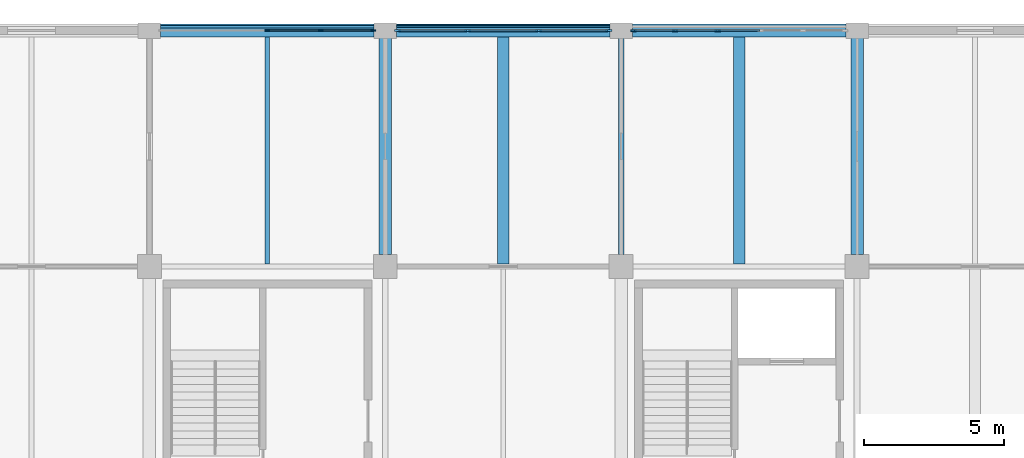
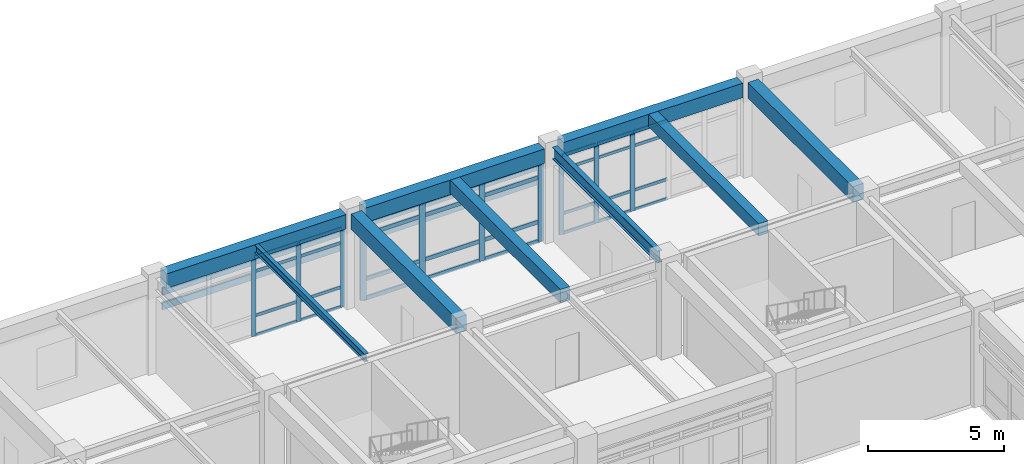
# One storey, part 29 of 78: 46 members, 9 beams, 3 elements without a shape of their own.
"""IFC4 building model written with IfcOpenShell, lengths in metres."""

import ifcopenshell
import ifcopenshell.guid

model = None  # the IFC model being written
_history = None  # IfcOwnerHistory: only IFC2X3 demands one
_inside = {}  # id of a spatial element -> (the spatial element, [elements in it])
_under = {}  # id of a project, library or spatial element -> (it, [spatial elements below it])
_declared = {}  # id of a project -> (the project, [libraries it declares])
_typed = {}  # id of a type object -> (the type object, [elements of that type])
_made_of = {}  # id of a material, layer set ... -> (it, [elements and type objects made of it])


def new_model(schema):
    """Start an empty IFC model of exactly this schema.

    Asked for "IFC4X3", IfcOpenShell would pick the latest addendum, in which some entities
    have other attributes; the version numbers below select the first issue.
    IFC2X3 requires an IfcOwnerHistory on every rooted entity: one is made here for all.
    """
    global model, _history
    if schema == "IFC4X3":
        model = ifcopenshell.file(schema_version=(4, 3, 0, 0))
    else:
        model = ifcopenshell.file(schema=schema)
    _inside.clear()
    _under.clear()
    _declared.clear()
    _typed.clear()
    _made_of.clear()
    _history = None
    if model.schema == "IFC2X3":
        org = make("IfcOrganization", Name="unknown")
        user = make(
            "IfcPersonAndOrganization",
            ThePerson=make("IfcPerson", FamilyName="unknown"),
            TheOrganization=org,
        )
        app = make(
            "IfcApplication",
            ApplicationDeveloper=org,
            Version="unknown",
            ApplicationFullName="unknown",
            ApplicationIdentifier="unknown",
        )
        _history = make(
            "IfcOwnerHistory",
            OwningUser=user,
            OwningApplication=app,
            ChangeAction="ADDED",
            CreationDate=0,
        )
    return model


def make(cls, **values):
    """One entity of the class cls with the attributes given. An attribute that is None is left unset."""
    return model.create_entity(
        cls, **{name: value for name, value in values.items() if value is not None}
    )


def rooted(cls, **values):
    """An entity with a GlobalId (a new one), such as an element, a storey or a relation."""
    return make(cls, GlobalId=ifcopenshell.guid.new(), OwnerHistory=_history, **values)


def si_unit(unit_type, name, prefix=None):
    """IfcSIUnit, for example si_unit("LENGTHUNIT", "METRE", prefix="MILLI")."""
    return make("IfcSIUnit", UnitType=unit_type, Prefix=prefix, Name=name)


def assignment(units):
    """IfcUnitAssignment: the units of a project."""
    return None if units is None else make("IfcUnitAssignment", Units=units)


def point(xyz):
    """IfcCartesianPoint."""
    return None if xyz is None else make("IfcCartesianPoint", Coordinates=xyz)


def direction(xyz):
    """IfcDirection."""
    return None if xyz is None else make("IfcDirection", DirectionRatios=xyz)


def frame(location, z_axis=None, x_axis=None):
    """IfcAxis2Placement3D, a coordinate frame: its origin and axes. An axis left out is left unset."""
    return make(
        "IfcAxis2Placement3D",
        Location=point(location),
        Axis=direction(z_axis),
        RefDirection=direction(x_axis),
    )


def frame_2d(location, x_axis=None):
    """IfcAxis2Placement2D, a coordinate frame in the plane: its origin and x axis."""
    return make(
        "IfcAxis2Placement2D", Location=point(location), RefDirection=direction(x_axis)
    )


def origin():
    """The frame at (0, 0, 0) with its axes left unset."""
    return frame((0.0, 0.0, 0.0))


def origin_2d():
    """The frame at (0, 0) in the plane with its x axis left unset."""
    return frame_2d((0.0, 0.0))


def place(relative_to, where):
    """IfcLocalPlacement: puts the frame where relative to a parent placement (None: the world)."""
    return make(
        "IfcLocalPlacement", PlacementRelTo=relative_to, RelativePlacement=where
    )


def context(
    kind, dimensions, precision=None, world=None, true_north=None, identifier=None
):
    """IfcGeometricRepresentationContext, for example the 3D "Model" context."""
    return make(
        "IfcGeometricRepresentationContext",
        ContextIdentifier=identifier,
        ContextType=kind,
        CoordinateSpaceDimension=dimensions,
        Precision=precision,
        WorldCoordinateSystem=world,
        TrueNorth=true_north,
    )


def subcontext(parent, identifier, kind, view, scale=None):
    """IfcGeometricRepresentationSubContext, for example "Body" below "Model"."""
    return make(
        "IfcGeometricRepresentationSubContext",
        ContextIdentifier=identifier,
        ContextType=kind,
        ParentContext=parent,
        TargetScale=scale,
        TargetView=view,
    )


def project(units=None, contexts=None):
    """IfcProject with its units and contexts."""
    return rooted(
        "IfcProject",
        Name="project",
        RepresentationContexts=contexts,
        UnitsInContext=assignment(units),
    )


def spatial(cls, under=None, at=None, **own):
    """A site, building, storey or space (cls), placed at a placement, below another one or the project."""
    s = rooted(cls, ObjectPlacement=at, **own)
    if under is not None:
        _under.setdefault(under.id(), (under, []))[1].append(s)
    return s


def profile(cls, at=None, kind="AREA", **sizes):
    """A parametric profile (cls). Its sizes go by their IFC names, for example OverallWidth=200.0."""
    return make(cls, ProfileType=kind, Position=at, **sizes)


def rectangle(**sizes):
    """IfcRectangleProfileDef."""
    return profile("IfcRectangleProfileDef", **sizes)


def i_section(**sizes):
    """IfcIShapeProfileDef."""
    return profile("IfcIShapeProfileDef", **sizes)


def extrude(swept, where, along, depth):
    """IfcExtrudedAreaSolid: the profile swept, set in the frame where, extruded along a direction by depth."""
    return make(
        "IfcExtrudedAreaSolid",
        SweptArea=swept,
        Position=where,
        ExtrudedDirection=direction(along),
        Depth=depth,
    )


def shape(context_of_items, identifier, shape_type, items):
    """IfcShapeRepresentation: the items that make up one representation, for example the "Body"."""
    return make(
        "IfcShapeRepresentation",
        ContextOfItems=context_of_items,
        RepresentationIdentifier=identifier,
        RepresentationType=shape_type,
        Items=items,
    )


def material(Name=None, Category=None):
    """IfcMaterial."""
    return make("IfcMaterial", Name=Name, Category=Category)


def layer(
    of_material, thickness, ventilated=None, Name=None, Category=None, Priority=None
):
    """IfcMaterialLayer: one layer of a wall or slab, of a material (None: an air gap)."""
    return make(
        "IfcMaterialLayer",
        Material=of_material,
        LayerThickness=thickness,
        IsVentilated=ventilated,
        Name=Name,
        Category=Category,
        Priority=Priority,
    )


def layer_set(layers, Name=None):
    """IfcMaterialLayerSet."""
    return make("IfcMaterialLayerSet", MaterialLayers=layers, LayerSetName=Name)


def material_profile(
    of_material, cross_section, Name=None, Category=None, Priority=None
):
    """IfcMaterialProfile: a cross section and its material."""
    return make(
        "IfcMaterialProfile",
        Name=Name,
        Material=of_material,
        Profile=cross_section,
        Priority=Priority,
        Category=Category,
    )


def profile_set(profiles, Name=None, composite=None):
    """IfcMaterialProfileSet."""
    return make(
        "IfcMaterialProfileSet",
        Name=Name,
        MaterialProfiles=profiles,
        CompositeProfile=composite,
    )


def made_of(thing, what):
    """Note that an element or type object is made of a material, layer set ...; save() writes the relation."""
    if what is not None:
        _made_of.setdefault(what.id(), (what, []))[1].append(thing)
    return thing


def type_object(cls, material=None, **own):
    """A type object (cls), such as IfcWallType, which elements share."""
    return made_of(rooted(cls, **own), material)


def element(
    cls,
    number,
    at=None,
    inside=None,
    cuts=None,
    type_object=None,
    material=None,
    context=None,
    identifier="Body",
    shape_type=None,
    held_by="IfcProductDefinitionShape",
    body=None,
    shapes=None,
    **own,
):
    """One element of the class cls, such as IfcWall. Its Tag is "e" and its number.

    at: its placement. inside: the storey or other place that contains it. cuts: it is an
    opening in that element (IfcRelVoidsElement). A single representation is given by context,
    identifier, shape_type and body (its items); several are given by shapes. held_by: the class
    of the entity that holds the representations. save() writes the other relations.
    """
    e = rooted(cls, Tag="e%d" % number, ObjectPlacement=at, **own)
    if body is not None:
        shapes = [shape(context, identifier, shape_type, body)]
    if shapes is not None:
        e.Representation = make(held_by, Representations=shapes)
    if inside is not None:
        _inside.setdefault(inside.id(), (inside, []))[1].append(e)
    if cuts is not None:
        rooted(
            "IfcRelVoidsElement", RelatingBuildingElement=cuts, RelatedOpeningElement=e
        )
    if type_object is not None:
        _typed.setdefault(type_object.id(), (type_object, []))[1].append(e)
    return made_of(e, material)


def aggregate(whole, parts):
    """IfcRelAggregates: a whole, such as a stair, and the parts it consists of."""
    return rooted("IfcRelAggregates", RelatingObject=whole, RelatedObjects=parts)


def save(model, path):
    """Write the relations noted so far, then the file.

    IfcRelAggregates (storeys below a building ...), IfcRelContainedInSpatialStructure (elements
    in a storey), IfcRelDefinesByType, IfcRelAssociatesMaterial and IfcRelDeclares: one each for
    every whole, place, type object, material and project.
    """
    for whole, parts in _under.values():
        aggregate(whole, parts)
    for where, things in _inside.values():
        rooted(
            "IfcRelContainedInSpatialStructure",
            RelatedElements=things,
            RelatingStructure=where,
        )
    for kind, things in _typed.values():
        rooted("IfcRelDefinesByType", RelatedObjects=things, RelatingType=kind)
    for what, things in _made_of.values():
        rooted("IfcRelAssociatesMaterial", RelatedObjects=things, RelatingMaterial=what)
    for by, libraries in _declared.values():
        rooted("IfcRelDeclares", RelatingContext=by, RelatedDefinitions=libraries)
    model.write(path)


model = new_model("IFC4")

# Units and contexts
model_context = context("Model", 3, precision=1e-05, world=origin(), true_north=direction((0.0, 1.0)))
body_context = subcontext(model_context, "Body", "Model", "MODEL_VIEW")
ifc_project = project(units=[si_unit("LENGTHUNIT", "METRE"), si_unit("AREAUNIT", "SQUARE_METRE"), si_unit("VOLUMEUNIT", "CUBIC_METRE"), si_unit("PLANEANGLEUNIT", "RADIAN"), si_unit("MASSUNIT", "GRAM", prefix="KILO")], contexts=[model_context])

# Site, building, storey
site_placement = place(None, origin())
site = spatial("IfcSite", under=ifc_project, at=site_placement, CompositionType="ELEMENT")
building_placement = place(site_placement, origin())
building = spatial("IfcBuilding", under=site, at=building_placement, Name="Porcellanite Civic Hall", CompositionType="ELEMENT")
storey_placement = place(building_placement, frame((0.0, 0.0, 10.260009765625)))
storey = spatial("IfcBuildingStorey", under=building, at=storey_placement, Name="L02", CompositionType="ELEMENT", Elevation=10.260009765625)

# Beams
ifc_material_1 = material(Name="Concrete N50 (50 MPa)", Category="concrete")
ifc_material_profile_1 = material_profile(ifc_material_1, rectangle(XDim=0.39990234375, YDim=0.550048828125, at=origin_2d()), Name="RC-400x550")
ifc_profile_set_1 = profile_set([ifc_material_profile_1], Name="Concrete N50 (50 MPa)")
beam_type_1 = type_object("IfcBeamType", Name="BM-RC550", PredefinedType="JOIST", material=ifc_profile_set_1)
beam_1_placement = place(storey_placement, frame((113.39990234375, 109.29443359375, 3.965087890625), z_axis=(0.0, 1.0, 0.0), x_axis=(-1.0, 0.0, 0.0)))
element("IfcBeam", 1, at=beam_1_placement, inside=storey, type_object=beam_type_1, Name="Secondary joist L02 14-14", PredefinedType="JOIST", context=body_context, shape_type="SweptSolid", body=[
    extrude(rectangle(XDim=0.39990234375, YDim=0.550048828125, at=origin_2d()), origin(), (0.0, 0.0, 1.0), 8.0810546875),
])
ifc_material_2 = material(Name="Concrete N50 (50 MPa)", Category="concrete")
ifc_material_profile_2 = material_profile(ifc_material_2, rectangle(XDim=0.39990234375, YDim=0.60009765625, at=origin_2d()), Name="RC-400x600")
ifc_profile_set_2 = profile_set([ifc_material_profile_2], Name="Concrete N50 (50 MPa)")
beam_type_2 = type_object("IfcBeamType", Name="BM-RC600", PredefinedType="JOIST", material=ifc_profile_set_2)
beam_2_placement = place(storey_placement, frame((105.0, 109.29443359375, 3.93994140625), z_axis=(0.0, 1.0, 0.0), x_axis=(-1.0, 0.0, 0.0)))
element("IfcBeam", 2, at=beam_2_placement, inside=storey, type_object=beam_type_2, Name="Secondary joist L02 13-14", PredefinedType="JOIST", context=body_context, shape_type="SweptSolid", body=[
    extrude(rectangle(XDim=0.39990234375, YDim=0.60009765625, at=origin_2d()), origin(), (0.0, 0.0, 1.0), 8.0810546875),
])
ifc_material_3 = material(Name="Concrete N50 (50 MPa)", Category="concrete")
ifc_material_profile_3 = material_profile(ifc_material_3, rectangle(XDim=0.449951171875, YDim=0.64990234375, at=origin_2d()), Name="RC-450x650")
ifc_profile_set_3 = profile_set([ifc_material_profile_3], Name="Concrete N50 (50 MPa)")
beam_type_3 = type_object("IfcBeamType", Name="BM-RC650", PredefinedType="SPANDREL", material=ifc_profile_set_3)
beam_3_placement = place(storey_placement, frame((92.799560546875, 117.60009765625, 3.9150390625), z_axis=(1.0, 0.0, 0.0), x_axis=(0.0, 1.0, 0.0)))
element("IfcBeam", 3, at=beam_3_placement, inside=storey, type_object=beam_type_3, Name="Beam X L02 12-15", PredefinedType="SPANDREL", context=body_context, shape_type="SweptSolid", body=[
    extrude(rectangle(XDim=0.449951171875, YDim=0.64990234375, at=origin_2d()), origin(), (0.0, 0.0, 1.0), 7.600830078125),
])
beam_4_placement = place(storey_placement, frame((101.199462890625, 117.60009765625, 3.9150390625), z_axis=(1.0, 0.0, 0.0), x_axis=(0.0, 1.0, 0.0)))
element("IfcBeam", 4, at=beam_4_placement, inside=storey, type_object=beam_type_3, Name="Beam X L02 13-15", PredefinedType="SPANDREL", context=body_context, shape_type="SweptSolid", body=[
    extrude(rectangle(XDim=0.449951171875, YDim=0.64990234375, at=origin_2d()), origin(), (0.0, 0.0, 1.0), 7.60107421875),
])
beam_5_placement = place(storey_placement, frame((109.599609375, 117.60009765625, 3.9150390625), z_axis=(1.0, 0.0, 0.0), x_axis=(0.0, 1.0, 0.0)))
element("IfcBeam", 5, at=beam_5_placement, inside=storey, type_object=beam_type_3, Name="Beam X L02 14-15", PredefinedType="SPANDREL", context=body_context, shape_type="SweptSolid", body=[
    extrude(rectangle(XDim=0.449951171875, YDim=0.64990234375, at=origin_2d()), origin(), (0.0, 0.0, 1.0), 7.600830078125),
])
ifc_material_4 = material(Name="Concrete N50 (50 MPa)", Category="concrete")
ifc_material_profile_4 = material_profile(ifc_material_4, rectangle(XDim=0.449951171875, YDim=0.699951171875, at=origin_2d()), Name="RC-450x700")
ifc_profile_set_4 = profile_set([ifc_material_profile_4], Name="Concrete N50 (50 MPa)")
beam_type_4 = type_object("IfcBeamType", Name="BM-RC700", PredefinedType="BEAM", material=ifc_profile_set_4)
for number, where, z_axis, x_axis, name in (
    (6, (100.800048828125, 109.62451171875, 3.889892578125), (0.0, 1.0, 0.0), (-1.0, 0.0, 0.0), "Beam Y L02 13-14"),
    (7, (117.60009765625, 109.62451171875, 3.889892578125), (0.0, 1.0, 0.0), (-1.0, 0.0, 0.0), "Beam Y L02 15-14"),
):
    element("IfcBeam", number, at=place(storey_placement, frame(where, z_axis=z_axis, x_axis=x_axis)), inside=storey, type_object=beam_type_4, Name=name, PredefinedType="BEAM", context=body_context, shape_type="SweptSolid", body=[
        extrude(rectangle(XDim=0.449951171875, YDim=0.699951171875, at=origin_2d()), origin(), (0.0, 0.0, 1.0), 7.700927734375),
    ])

# Curtain wall, members
ifc_material_5 = material(Name="Anodised aluminium and solar laminated glass", Category="aluminium")
ifc_layer_1 = layer(ifc_material_5, 0.179931640625)
ifc_layer_set_1 = layer_set([ifc_layer_1], Name="Anodised aluminium and solar laminated glass")
curtain_wall_type_1 = type_object("IfcCurtainWallType", Name="CW-SYS08", PredefinedType="NOTDEFINED", material=ifc_layer_set_1)
curtain_wall_1_placement = place(storey_placement, origin())
curtain_wall_1 = element("IfcCurtainWall", 8, at=curtain_wall_1_placement, inside=storey, type_object=curtain_wall_type_1, Name="Curtain wall CW-160", PredefinedType="NOTDEFINED")
ifc_material_6 = material(Name="Anodised aluminium 6063-T6", Category="aluminium")
ifc_material_profile_5 = material_profile(ifc_material_6, rectangle(XDim=0.080078125, YDim=0.239990234375, at=origin_2d()), Name="AL-80x240")
ifc_profile_set_5 = profile_set([ifc_material_profile_5], Name="Anodised aluminium 6063-T6")
member_type_1 = type_object("IfcMemberType", Name="CWM-01", PredefinedType="MULLION", material=ifc_profile_set_5)
member_1_placement = place(storey_placement, frame((101.240966796875, 117.60009765625, 0.0), z_axis=(0.0, 0.0, 1.0), x_axis=(0.0, 1.0, 0.0)))
member_1 = element("IfcMember", 9, at=member_1_placement, type_object=member_type_1, Name="CW-160 mullion 1", PredefinedType="MULLION", context=body_context, shape_type="SweptSolid", body=[
    extrude(rectangle(XDim=0.080078125, YDim=0.239990234375, at=origin_2d()), origin(), (0.0, 0.0, 1.0), 3.5400390625),
])
member_2_placement = place(storey_placement, frame((103.733642578125, 117.60009765625, 0.0), z_axis=(0.0, 0.0, 1.0), x_axis=(0.0, 1.0, 0.0)))
member_2 = element("IfcMember", 10, at=member_2_placement, type_object=member_type_1, Name="CW-160 mullion 2", PredefinedType="MULLION", context=body_context, shape_type="SweptSolid", body=[
    extrude(rectangle(XDim=0.080078125, YDim=0.239990234375, at=origin_2d()), origin(), (0.0, 0.0, 1.0), 3.5400390625),
])
member_3_placement = place(storey_placement, frame((106.266357421875, 117.60009765625, 0.0), z_axis=(0.0, 0.0, 1.0), x_axis=(0.0, 1.0, 0.0)))
member_3 = element("IfcMember", 11, at=member_3_placement, type_object=member_type_1, Name="CW-160 mullion 3", PredefinedType="MULLION", context=body_context, shape_type="SweptSolid", body=[
    extrude(rectangle(XDim=0.080078125, YDim=0.239990234375, at=origin_2d()), origin(), (0.0, 0.0, 1.0), 3.5400390625),
])
member_4_placement = place(storey_placement, frame((108.759033203125, 117.60009765625, 0.0), z_axis=(0.0, 0.0, 1.0), x_axis=(0.0, 1.0, 0.0)))
member_4 = element("IfcMember", 12, at=member_4_placement, type_object=member_type_1, Name="CW-160 mullion 4", PredefinedType="MULLION", context=body_context, shape_type="SweptSolid", body=[
    extrude(rectangle(XDim=0.080078125, YDim=0.239990234375, at=origin_2d()), origin(), (0.0, 0.0, 1.0), 3.5400390625),
])

ifc_material_7 = material(Name="Anodised aluminium and solar laminated glass", Category="aluminium")
ifc_layer_2 = layer(ifc_material_7, 0.179931640625)
ifc_layer_set_2 = layer_set([ifc_layer_2], Name="Anodised aluminium and solar laminated glass")
curtain_wall_type_2 = type_object("IfcCurtainWallType", Name="CW-SYS01", PredefinedType="NOTDEFINED", material=ifc_layer_set_2)
curtain_wall_2_placement = place(storey_placement, origin())
curtain_wall_2 = element("IfcCurtainWall", 13, at=curtain_wall_2_placement, inside=storey, type_object=curtain_wall_type_2, Name="Curtain wall CW-161", PredefinedType="NOTDEFINED")
ifc_material_8 = material(Name="Anodised aluminium 6063-T6", Category="aluminium")
ifc_material_profile_6 = material_profile(ifc_material_8, rectangle(XDim=0.070068359375, YDim=0.199951171875, at=origin_2d()), Name="AL-70x200")
ifc_profile_set_6 = profile_set([ifc_material_profile_6], Name="Anodised aluminium 6063-T6")
member_type_2 = type_object("IfcMemberType", Name="CWM-05", PredefinedType="MULLION", material=ifc_profile_set_6)
member_5_placement = place(storey_placement, frame((109.635986328125, 117.60009765625, 0.0), z_axis=(0.0, 0.0, 1.0), x_axis=(0.0, 1.0, 0.0)))
member_5 = element("IfcMember", 14, at=member_5_placement, type_object=member_type_2, Name="CW-161 mullion 1", PredefinedType="MULLION", context=body_context, shape_type="SweptSolid", body=[
    extrude(rectangle(XDim=0.070068359375, YDim=0.199951171875, at=origin_2d()), origin(), (0.0, 0.0, 1.0), 3.5400390625),
])
member_6_placement = place(storey_placement, frame((111.12060546875, 117.60009765625, 0.0), z_axis=(0.0, 0.0, 1.0), x_axis=(0.0, 1.0, 0.0)))
member_6 = element("IfcMember", 15, at=member_6_placement, type_object=member_type_2, Name="CW-161 mullion 2", PredefinedType="MULLION", context=body_context, shape_type="SweptSolid", body=[
    extrude(rectangle(XDim=0.070068359375, YDim=0.199951171875, at=origin_2d()), origin(), (0.0, 0.0, 1.0), 3.5400390625),
])
member_7_placement = place(storey_placement, frame((112.64013671875, 117.60009765625, 0.0), z_axis=(0.0, 0.0, 1.0), x_axis=(0.0, 1.0, 0.0)))
member_7 = element("IfcMember", 16, at=member_7_placement, type_object=member_type_2, Name="CW-161 mullion 3", PredefinedType="MULLION", context=body_context, shape_type="SweptSolid", body=[
    extrude(rectangle(XDim=0.070068359375, YDim=0.199951171875, at=origin_2d()), origin(), (0.0, 0.0, 1.0), 3.5400390625),
])

ifc_material_9 = material(Name="Anodised aluminium and solar laminated glass", Category="aluminium")
ifc_layer_3 = layer(ifc_material_9, 0.179931640625)
ifc_layer_set_3 = layer_set([ifc_layer_3], Name="Anodised aluminium and solar laminated glass")
curtain_wall_type_3 = type_object("IfcCurtainWallType", Name="CW-SYS06", PredefinedType="NOTDEFINED", material=ifc_layer_set_3)
curtain_wall_3_placement = place(storey_placement, origin())
curtain_wall_3 = element("IfcCurtainWall", 17, at=curtain_wall_3_placement, inside=storey, type_object=curtain_wall_type_3, Name="Curtain wall CW-158", PredefinedType="NOTDEFINED")
ifc_material_10 = material(Name="Anodised aluminium 6063-T6", Category="aluminium")
ifc_material_profile_7 = material_profile(ifc_material_10, rectangle(XDim=0.06494140625, YDim=0.179931640625, at=origin_2d()), Name="AL-65x180")
ifc_profile_set_7 = profile_set([ifc_material_profile_7], Name="Anodised aluminium 6063-T6")
member_type_3 = type_object("IfcMemberType", Name="CWM-06", PredefinedType="MULLION", material=ifc_profile_set_7)
member_8_placement = place(storey_placement, frame((96.60009765625, 117.60009765625, 0.0), z_axis=(0.0, 0.0, 1.0), x_axis=(0.0, 1.0, 0.0)))
member_8 = element("IfcMember", 18, at=member_8_placement, type_object=member_type_3, Name="CW-158 mullion 3", PredefinedType="MULLION", context=body_context, shape_type="SweptSolid", body=[
    extrude(rectangle(XDim=0.06494140625, YDim=0.179931640625, at=origin_2d()), origin(), (0.0, 0.0, 1.0), 3.5400390625),
])
member_9_placement = place(storey_placement, frame((98.49951171875, 117.60009765625, 0.0), z_axis=(0.0, 0.0, 1.0), x_axis=(0.0, 1.0, 0.0)))
member_9 = element("IfcMember", 19, at=member_9_placement, type_object=member_type_3, Name="CW-158 mullion 4", PredefinedType="MULLION", context=body_context, shape_type="SweptSolid", body=[
    extrude(rectangle(XDim=0.06494140625, YDim=0.179931640625, at=origin_2d()), origin(), (0.0, 0.0, 1.0), 3.5400390625),
])
member_10_placement = place(storey_placement, frame((100.366455078125, 117.60009765625, 0.0), z_axis=(0.0, 0.0, 1.0), x_axis=(0.0, 1.0, 0.0)))
member_10 = element("IfcMember", 20, at=member_10_placement, type_object=member_type_3, Name="CW-158 mullion 5", PredefinedType="MULLION", context=body_context, shape_type="SweptSolid", body=[
    extrude(rectangle(XDim=0.06494140625, YDim=0.179931640625, at=origin_2d()), origin(), (0.0, 0.0, 1.0), 3.5400390625),
])

# Member
ifc_material_11 = material(Name="Anodised aluminium 6063-T6", Category="aluminium")
ifc_material_profile_8 = material_profile(ifc_material_11, rectangle(XDim=0.070068359375, YDim=0.175048828125, at=origin_2d()), Name="AL-70x175")
ifc_profile_set_8 = profile_set([ifc_material_profile_8], Name="Anodised aluminium 6063-T6")
member_type_4 = type_object("IfcMemberType", Name="CWT-01", PredefinedType="USERDEFINED", material=ifc_profile_set_8)
member_11_placement = place(storey_placement, frame((101.281005859375, 117.60009765625, 0.034912109375), z_axis=(1.0, 0.0, 0.0), x_axis=(0.0, 1.0, 0.0)))
member_11 = element("IfcMember", 21, at=member_11_placement, type_object=member_type_4, Name="CW-160 transom 1.1", ObjectType="TRANSOM", PredefinedType="USERDEFINED", context=body_context, shape_type="SweptSolid", body=[
    extrude(rectangle(XDim=0.070068359375, YDim=0.175048828125, at=origin_2d()), origin(), (0.0, 0.0, 1.0), 2.41259765625),
])

member_12_placement = place(storey_placement, frame((101.281005859375, 117.60009765625, 0.89990234375), z_axis=(1.0, 0.0, 0.0), x_axis=(0.0, 1.0, 0.0)))
member_12 = element("IfcMember", 22, at=member_12_placement, type_object=member_type_4, Name="CW-160 transom 1.2", ObjectType="TRANSOM", PredefinedType="USERDEFINED", context=body_context, shape_type="SweptSolid", body=[
    extrude(rectangle(XDim=0.070068359375, YDim=0.175048828125, at=origin_2d()), origin(), (0.0, 0.0, 1.0), 2.41259765625),
])

member_13_placement = place(storey_placement, frame((101.281005859375, 117.60009765625, 2.889892578125), z_axis=(1.0, 0.0, 0.0), x_axis=(0.0, 1.0, 0.0)))
member_13 = element("IfcMember", 23, at=member_13_placement, type_object=member_type_4, Name="CW-160 transom 1.3", ObjectType="TRANSOM", PredefinedType="USERDEFINED", context=body_context, shape_type="SweptSolid", body=[
    extrude(rectangle(XDim=0.070068359375, YDim=0.175048828125, at=origin_2d()), origin(), (0.0, 0.0, 1.0), 2.41259765625),
])

member_14_placement = place(storey_placement, frame((101.281005859375, 117.60009765625, 3.5048828125), z_axis=(1.0, 0.0, 0.0), x_axis=(0.0, 1.0, 0.0)))
member_14 = element("IfcMember", 24, at=member_14_placement, type_object=member_type_4, Name="CW-160 transom 1.4", ObjectType="TRANSOM", PredefinedType="USERDEFINED", context=body_context, shape_type="SweptSolid", body=[
    extrude(rectangle(XDim=0.070068359375, YDim=0.175048828125, at=origin_2d()), origin(), (0.0, 0.0, 1.0), 2.41259765625),
])

member_15_placement = place(storey_placement, frame((103.773681640625, 117.60009765625, 0.034912109375), z_axis=(1.0, 0.0, 0.0), x_axis=(0.0, 1.0, 0.0)))
member_15 = element("IfcMember", 25, at=member_15_placement, type_object=member_type_4, Name="CW-160 transom 2.1", ObjectType="TRANSOM", PredefinedType="USERDEFINED", context=body_context, shape_type="SweptSolid", body=[
    extrude(rectangle(XDim=0.070068359375, YDim=0.175048828125, at=origin_2d()), origin(), (0.0, 0.0, 1.0), 2.45263671875),
])

member_16_placement = place(storey_placement, frame((103.773681640625, 117.60009765625, 0.89990234375), z_axis=(1.0, 0.0, 0.0), x_axis=(0.0, 1.0, 0.0)))
member_16 = element("IfcMember", 26, at=member_16_placement, type_object=member_type_4, Name="CW-160 transom 2.2", ObjectType="TRANSOM", PredefinedType="USERDEFINED", context=body_context, shape_type="SweptSolid", body=[
    extrude(rectangle(XDim=0.070068359375, YDim=0.175048828125, at=origin_2d()), origin(), (0.0, 0.0, 1.0), 2.45263671875),
])

member_17_placement = place(storey_placement, frame((103.773681640625, 117.60009765625, 2.889892578125), z_axis=(1.0, 0.0, 0.0), x_axis=(0.0, 1.0, 0.0)))
member_17 = element("IfcMember", 27, at=member_17_placement, type_object=member_type_4, Name="CW-160 transom 2.3", ObjectType="TRANSOM", PredefinedType="USERDEFINED", context=body_context, shape_type="SweptSolid", body=[
    extrude(rectangle(XDim=0.070068359375, YDim=0.175048828125, at=origin_2d()), origin(), (0.0, 0.0, 1.0), 2.45263671875),
])

member_18_placement = place(storey_placement, frame((103.773681640625, 117.60009765625, 3.5048828125), z_axis=(1.0, 0.0, 0.0), x_axis=(0.0, 1.0, 0.0)))
member_18 = element("IfcMember", 28, at=member_18_placement, type_object=member_type_4, Name="CW-160 transom 2.4", ObjectType="TRANSOM", PredefinedType="USERDEFINED", context=body_context, shape_type="SweptSolid", body=[
    extrude(rectangle(XDim=0.070068359375, YDim=0.175048828125, at=origin_2d()), origin(), (0.0, 0.0, 1.0), 2.45263671875),
])

member_19_placement = place(storey_placement, frame((106.306396484375, 117.60009765625, 0.034912109375), z_axis=(1.0, 0.0, 0.0), x_axis=(0.0, 1.0, 0.0)))
member_19 = element("IfcMember", 29, at=member_19_placement, type_object=member_type_4, Name="CW-160 transom 3.1", ObjectType="TRANSOM", PredefinedType="USERDEFINED", context=body_context, shape_type="SweptSolid", body=[
    extrude(rectangle(XDim=0.070068359375, YDim=0.175048828125, at=origin_2d()), origin(), (0.0, 0.0, 1.0), 2.41259765625),
])

member_20_placement = place(storey_placement, frame((106.306396484375, 117.60009765625, 0.89990234375), z_axis=(1.0, 0.0, 0.0), x_axis=(0.0, 1.0, 0.0)))
member_20 = element("IfcMember", 30, at=member_20_placement, type_object=member_type_4, Name="CW-160 transom 3.2", ObjectType="TRANSOM", PredefinedType="USERDEFINED", context=body_context, shape_type="SweptSolid", body=[
    extrude(rectangle(XDim=0.070068359375, YDim=0.175048828125, at=origin_2d()), origin(), (0.0, 0.0, 1.0), 2.41259765625),
])

member_21_placement = place(storey_placement, frame((106.306396484375, 117.60009765625, 2.889892578125), z_axis=(1.0, 0.0, 0.0), x_axis=(0.0, 1.0, 0.0)))
member_21 = element("IfcMember", 31, at=member_21_placement, type_object=member_type_4, Name="CW-160 transom 3.3", ObjectType="TRANSOM", PredefinedType="USERDEFINED", context=body_context, shape_type="SweptSolid", body=[
    extrude(rectangle(XDim=0.070068359375, YDim=0.175048828125, at=origin_2d()), origin(), (0.0, 0.0, 1.0), 2.41259765625),
])

member_22_placement = place(storey_placement, frame((106.306396484375, 117.60009765625, 3.5048828125), z_axis=(1.0, 0.0, 0.0), x_axis=(0.0, 1.0, 0.0)))
member_22 = element("IfcMember", 32, at=member_22_placement, type_object=member_type_4, Name="CW-160 transom 3.4", ObjectType="TRANSOM", PredefinedType="USERDEFINED", context=body_context, shape_type="SweptSolid", body=[
    extrude(rectangle(XDim=0.070068359375, YDim=0.175048828125, at=origin_2d()), origin(), (0.0, 0.0, 1.0), 2.41259765625),
])

aggregate(curtain_wall_1, [member_1, member_2, member_3, member_4, member_11, member_12, member_13, member_14, member_15, member_16, member_17, member_18, member_19, member_20, member_21, member_22])

ifc_material_12 = material(Name="Anodised aluminium 6063-T6", Category="aluminium")
ifc_material_profile_9 = material_profile(ifc_material_12, rectangle(XDim=0.06005859375, YDim=0.1298828125, at=origin_2d()), Name="AL-60x130")
ifc_profile_set_9 = profile_set([ifc_material_profile_9], Name="Anodised aluminium 6063-T6")
member_type_5 = type_object("IfcMemberType", Name="CWT-03", PredefinedType="USERDEFINED", material=ifc_profile_set_9)
member_23_placement = place(storey_placement, frame((109.6708984375, 117.60009765625, 0.030029296875), z_axis=(1.0, 0.0, 0.0), x_axis=(0.0, 1.0, 0.0)))
member_23 = element("IfcMember", 33, at=member_23_placement, type_object=member_type_5, Name="CW-161 transom 1.1", ObjectType="TRANSOM", PredefinedType="USERDEFINED", context=body_context, shape_type="SweptSolid", body=[
    extrude(rectangle(XDim=0.06005859375, YDim=0.1298828125, at=origin_2d()), origin(), (0.0, 0.0, 1.0), 1.414794921875),
])

member_24_placement = place(storey_placement, frame((109.6708984375, 117.60009765625, 0.89990234375), z_axis=(1.0, 0.0, 0.0), x_axis=(0.0, 1.0, 0.0)))
member_24 = element("IfcMember", 34, at=member_24_placement, type_object=member_type_5, Name="CW-161 transom 1.2", ObjectType="TRANSOM", PredefinedType="USERDEFINED", context=body_context, shape_type="SweptSolid", body=[
    extrude(rectangle(XDim=0.06005859375, YDim=0.1298828125, at=origin_2d()), origin(), (0.0, 0.0, 1.0), 1.414794921875),
])

member_25_placement = place(storey_placement, frame((109.6708984375, 117.60009765625, 2.889892578125), z_axis=(1.0, 0.0, 0.0), x_axis=(0.0, 1.0, 0.0)))
member_25 = element("IfcMember", 35, at=member_25_placement, type_object=member_type_5, Name="CW-161 transom 1.3", ObjectType="TRANSOM", PredefinedType="USERDEFINED", context=body_context, shape_type="SweptSolid", body=[
    extrude(rectangle(XDim=0.06005859375, YDim=0.1298828125, at=origin_2d()), origin(), (0.0, 0.0, 1.0), 1.414794921875),
])

member_26_placement = place(storey_placement, frame((109.6708984375, 117.60009765625, 3.510009765625), z_axis=(1.0, 0.0, 0.0), x_axis=(0.0, 1.0, 0.0)))
member_26 = element("IfcMember", 36, at=member_26_placement, type_object=member_type_5, Name="CW-161 transom 1.4", ObjectType="TRANSOM", PredefinedType="USERDEFINED", context=body_context, shape_type="SweptSolid", body=[
    extrude(rectangle(XDim=0.06005859375, YDim=0.1298828125, at=origin_2d()), origin(), (0.0, 0.0, 1.0), 1.414794921875),
])

member_27_placement = place(storey_placement, frame((111.155517578125, 117.60009765625, 0.030029296875), z_axis=(1.0, 0.0, 0.0), x_axis=(0.0, 1.0, 0.0)))
member_27 = element("IfcMember", 37, at=member_27_placement, type_object=member_type_5, Name="CW-161 transom 2.1", ObjectType="TRANSOM", PredefinedType="USERDEFINED", context=body_context, shape_type="SweptSolid", body=[
    extrude(rectangle(XDim=0.06005859375, YDim=0.1298828125, at=origin_2d()), origin(), (0.0, 0.0, 1.0), 1.44970703125),
])

member_28_placement = place(storey_placement, frame((111.155517578125, 117.60009765625, 0.89990234375), z_axis=(1.0, 0.0, 0.0), x_axis=(0.0, 1.0, 0.0)))
member_28 = element("IfcMember", 38, at=member_28_placement, type_object=member_type_5, Name="CW-161 transom 2.2", ObjectType="TRANSOM", PredefinedType="USERDEFINED", context=body_context, shape_type="SweptSolid", body=[
    extrude(rectangle(XDim=0.06005859375, YDim=0.1298828125, at=origin_2d()), origin(), (0.0, 0.0, 1.0), 1.44970703125),
])

member_29_placement = place(storey_placement, frame((111.155517578125, 117.60009765625, 2.889892578125), z_axis=(1.0, 0.0, 0.0), x_axis=(0.0, 1.0, 0.0)))
member_29 = element("IfcMember", 39, at=member_29_placement, type_object=member_type_5, Name="CW-161 transom 2.3", ObjectType="TRANSOM", PredefinedType="USERDEFINED", context=body_context, shape_type="SweptSolid", body=[
    extrude(rectangle(XDim=0.06005859375, YDim=0.1298828125, at=origin_2d()), origin(), (0.0, 0.0, 1.0), 1.44970703125),
])

member_30_placement = place(storey_placement, frame((111.155517578125, 117.60009765625, 3.510009765625), z_axis=(1.0, 0.0, 0.0), x_axis=(0.0, 1.0, 0.0)))
member_30 = element("IfcMember", 40, at=member_30_placement, type_object=member_type_5, Name="CW-161 transom 2.4", ObjectType="TRANSOM", PredefinedType="USERDEFINED", context=body_context, shape_type="SweptSolid", body=[
    extrude(rectangle(XDim=0.06005859375, YDim=0.1298828125, at=origin_2d()), origin(), (0.0, 0.0, 1.0), 1.44970703125),
])

member_31_placement = place(storey_placement, frame((112.67529296875, 117.60009765625, 0.030029296875), z_axis=(1.0, 0.0, 0.0), x_axis=(0.0, 1.0, 0.0)))
member_31 = element("IfcMember", 41, at=member_31_placement, type_object=member_type_5, Name="CW-161 transom 3.1", ObjectType="TRANSOM", PredefinedType="USERDEFINED", context=body_context, shape_type="SweptSolid", body=[
    extrude(rectangle(XDim=0.06005859375, YDim=0.1298828125, at=origin_2d()), origin(), (0.0, 0.0, 1.0), 1.449462890625),
])

member_32_placement = place(storey_placement, frame((112.67529296875, 117.60009765625, 0.89990234375), z_axis=(1.0, 0.0, 0.0), x_axis=(0.0, 1.0, 0.0)))
member_32 = element("IfcMember", 42, at=member_32_placement, type_object=member_type_5, Name="CW-161 transom 3.2", ObjectType="TRANSOM", PredefinedType="USERDEFINED", context=body_context, shape_type="SweptSolid", body=[
    extrude(rectangle(XDim=0.06005859375, YDim=0.1298828125, at=origin_2d()), origin(), (0.0, 0.0, 1.0), 1.449462890625),
])

member_33_placement = place(storey_placement, frame((112.67529296875, 117.60009765625, 2.889892578125), z_axis=(1.0, 0.0, 0.0), x_axis=(0.0, 1.0, 0.0)))
member_33 = element("IfcMember", 43, at=member_33_placement, type_object=member_type_5, Name="CW-161 transom 3.3", ObjectType="TRANSOM", PredefinedType="USERDEFINED", context=body_context, shape_type="SweptSolid", body=[
    extrude(rectangle(XDim=0.06005859375, YDim=0.1298828125, at=origin_2d()), origin(), (0.0, 0.0, 1.0), 1.449462890625),
])

member_34_placement = place(storey_placement, frame((112.67529296875, 117.60009765625, 3.510009765625), z_axis=(1.0, 0.0, 0.0), x_axis=(0.0, 1.0, 0.0)))
member_34 = element("IfcMember", 44, at=member_34_placement, type_object=member_type_5, Name="CW-161 transom 3.4", ObjectType="TRANSOM", PredefinedType="USERDEFINED", context=body_context, shape_type="SweptSolid", body=[
    extrude(rectangle(XDim=0.06005859375, YDim=0.1298828125, at=origin_2d()), origin(), (0.0, 0.0, 1.0), 1.449462890625),
])

aggregate(curtain_wall_2, [member_5, member_6, member_7, member_23, member_24, member_25, member_26, member_27, member_28, member_29, member_30, member_31, member_32, member_33, member_34])

ifc_material_13 = material(Name="Anodised aluminium 6063-T6", Category="aluminium")
ifc_material_profile_10 = material_profile(ifc_material_13, rectangle(XDim=0.050048828125, YDim=0.139892578125, at=origin_2d()), Name="AL-50x140")
ifc_profile_set_10 = profile_set([ifc_material_profile_10], Name="Anodised aluminium 6063-T6")
member_type_6 = type_object("IfcMemberType", Name="CWT-06", PredefinedType="USERDEFINED", material=ifc_profile_set_10)
member_35_placement = place(storey_placement, frame((96.632568359375, 117.60009765625, 0.02490234375), z_axis=(1.0, 0.0, 0.0), x_axis=(0.0, 1.0, 0.0)))
member_35 = element("IfcMember", 45, at=member_35_placement, type_object=member_type_6, Name="CW-158 transom 3.1", ObjectType="TRANSOM", PredefinedType="USERDEFINED", context=body_context, shape_type="SweptSolid", body=[
    extrude(rectangle(XDim=0.050048828125, YDim=0.139892578125, at=origin_2d()), origin(), (0.0, 0.0, 1.0), 1.83447265625),
])

member_36_placement = place(storey_placement, frame((96.632568359375, 117.60009765625, 0.89990234375), z_axis=(1.0, 0.0, 0.0), x_axis=(0.0, 1.0, 0.0)))
member_36 = element("IfcMember", 46, at=member_36_placement, type_object=member_type_6, Name="CW-158 transom 3.2", ObjectType="TRANSOM", PredefinedType="USERDEFINED", context=body_context, shape_type="SweptSolid", body=[
    extrude(rectangle(XDim=0.050048828125, YDim=0.139892578125, at=origin_2d()), origin(), (0.0, 0.0, 1.0), 1.83447265625),
])

member_37_placement = place(storey_placement, frame((96.632568359375, 117.60009765625, 2.889892578125), z_axis=(1.0, 0.0, 0.0), x_axis=(0.0, 1.0, 0.0)))
member_37 = element("IfcMember", 47, at=member_37_placement, type_object=member_type_6, Name="CW-158 transom 3.3", ObjectType="TRANSOM", PredefinedType="USERDEFINED", context=body_context, shape_type="SweptSolid", body=[
    extrude(rectangle(XDim=0.050048828125, YDim=0.139892578125, at=origin_2d()), origin(), (0.0, 0.0, 1.0), 1.83447265625),
])

member_38_placement = place(storey_placement, frame((96.632568359375, 117.60009765625, 3.514892578125), z_axis=(1.0, 0.0, 0.0), x_axis=(0.0, 1.0, 0.0)))
member_38 = element("IfcMember", 48, at=member_38_placement, type_object=member_type_6, Name="CW-158 transom 3.4", ObjectType="TRANSOM", PredefinedType="USERDEFINED", context=body_context, shape_type="SweptSolid", body=[
    extrude(rectangle(XDim=0.050048828125, YDim=0.139892578125, at=origin_2d()), origin(), (0.0, 0.0, 1.0), 1.83447265625),
])

member_39_placement = place(storey_placement, frame((98.531982421875, 117.60009765625, 0.02490234375), z_axis=(1.0, 0.0, 0.0), x_axis=(0.0, 1.0, 0.0)))
member_39 = element("IfcMember", 49, at=member_39_placement, type_object=member_type_6, Name="CW-158 transom 4.1", ObjectType="TRANSOM", PredefinedType="USERDEFINED", context=body_context, shape_type="SweptSolid", body=[
    extrude(rectangle(XDim=0.050048828125, YDim=0.139892578125, at=origin_2d()), origin(), (0.0, 0.0, 1.0), 1.802001953125),
])

member_40_placement = place(storey_placement, frame((98.531982421875, 117.60009765625, 0.89990234375), z_axis=(1.0, 0.0, 0.0), x_axis=(0.0, 1.0, 0.0)))
member_40 = element("IfcMember", 50, at=member_40_placement, type_object=member_type_6, Name="CW-158 transom 4.2", ObjectType="TRANSOM", PredefinedType="USERDEFINED", context=body_context, shape_type="SweptSolid", body=[
    extrude(rectangle(XDim=0.050048828125, YDim=0.139892578125, at=origin_2d()), origin(), (0.0, 0.0, 1.0), 1.802001953125),
])

member_41_placement = place(storey_placement, frame((98.531982421875, 117.60009765625, 2.889892578125), z_axis=(1.0, 0.0, 0.0), x_axis=(0.0, 1.0, 0.0)))
member_41 = element("IfcMember", 51, at=member_41_placement, type_object=member_type_6, Name="CW-158 transom 4.3", ObjectType="TRANSOM", PredefinedType="USERDEFINED", context=body_context, shape_type="SweptSolid", body=[
    extrude(rectangle(XDim=0.050048828125, YDim=0.139892578125, at=origin_2d()), origin(), (0.0, 0.0, 1.0), 1.802001953125),
])

member_42_placement = place(storey_placement, frame((98.531982421875, 117.60009765625, 3.514892578125), z_axis=(1.0, 0.0, 0.0), x_axis=(0.0, 1.0, 0.0)))
member_42 = element("IfcMember", 52, at=member_42_placement, type_object=member_type_6, Name="CW-158 transom 4.4", ObjectType="TRANSOM", PredefinedType="USERDEFINED", context=body_context, shape_type="SweptSolid", body=[
    extrude(rectangle(XDim=0.050048828125, YDim=0.139892578125, at=origin_2d()), origin(), (0.0, 0.0, 1.0), 1.802001953125),
])

aggregate(curtain_wall_3, [member_8, member_9, member_10, member_35, member_36, member_37, member_38, member_39, member_40, member_41, member_42])

# Beam
ifc_material_14 = material(Name="Steel Grade 350", Category="steel")
ifc_material_profile_11 = material_profile(ifc_material_14, i_section(OverallWidth=0.1708984375, OverallDepth=0.35595703125, WebThickness=0.00732421875, FlangeThickness=0.011474609375, FilletRadius=0.011474609375, at=origin_2d()), Name="360UB50.7")
ifc_profile_set_11 = profile_set([ifc_material_profile_11], Name="Steel Grade 350")
beam_type_5 = type_object("IfcBeamType", Name="JST-360UB51", PredefinedType="JOIST", material=ifc_profile_set_11)
beam_6_placement = place(storey_placement, frame((96.60009765625, 109.29443359375, 4.06201171875), z_axis=(0.0, 1.0, 0.0), x_axis=(-1.0, 0.0, 0.0)))
element("IfcBeam", 53, at=beam_6_placement, inside=storey, type_object=beam_type_5, Name="Secondary joist L02 12-14", PredefinedType="JOIST", context=body_context, shape_type="SweptSolid", body=[
    extrude(i_section(OverallWidth=0.1708984375, OverallDepth=0.35595703125, WebThickness=0.00732421875, FlangeThickness=0.011474609375, FilletRadius=0.011474609375, at=origin_2d()), origin(), (0.0, 0.0, 1.0), 8.0810546875),
])

# Members
ifc_material_15 = material(Name="Fluoropolymer bauxite-red aluminium 6063-T6", Category="aluminium")
ifc_material_profile_12 = material_profile(ifc_material_15, rectangle(XDim=0.080078125, YDim=0.320068359375, at=origin_2d()), Name="AL-80x320")
ifc_profile_set_12 = profile_set([ifc_material_profile_12], Name="Fluoropolymer bauxite-red aluminium 6063-T6")
member_type_7 = type_object("IfcMemberType", Name="LV-BLD03", PredefinedType="USERDEFINED", material=ifc_profile_set_12)
for number, where, z_axis, x_axis, name in (
    (54, (92.799560546875, 117.73193359375, 3.239990234375), (1.0, 0.0, 0.0), (0.0, 1.0, 0.0), "Cyclone sunshade louvre L02 N 11-13 1"),
    (55, (92.799560546875, 117.73193359375, 2.590087890625), (1.0, 0.0, 0.0), (0.0, 1.0, 0.0), "Cyclone sunshade louvre L02 N 11-13 2"),
):
    element("IfcMember", number, at=place(storey_placement, frame(where, z_axis=z_axis, x_axis=x_axis)), inside=storey, type_object=member_type_7, Name=name, ObjectType="LOUVRE BLADE", PredefinedType="USERDEFINED", context=body_context, shape_type="SweptSolid", body=[
        extrude(rectangle(XDim=0.080078125, YDim=0.320068359375, at=origin_2d()), origin(), (0.0, 0.0, 1.0), 7.600830078125),
    ])
ifc_material_16 = material(Name="Fluoropolymer bauxite-red aluminium 6063-T6", Category="aluminium")
ifc_material_profile_13 = material_profile(ifc_material_16, rectangle(XDim=0.070068359375, YDim=0.280029296875, at=origin_2d()), Name="AL-70x280")
ifc_profile_set_13 = profile_set([ifc_material_profile_13], Name="Fluoropolymer bauxite-red aluminium 6063-T6")
member_type_8 = type_object("IfcMemberType", Name="LV-BLD05", PredefinedType="USERDEFINED", material=ifc_profile_set_13)
for number, where, z_axis, x_axis, name in (
    (56, (101.199462890625, 117.757080078125, 3.239990234375), (1.0, 0.0, 0.0), (0.0, 1.0, 0.0), "Cyclone sunshade louvre L02 N 12-13 1"),
    (57, (101.199462890625, 117.757080078125, 2.590087890625), (1.0, 0.0, 0.0), (0.0, 1.0, 0.0), "Cyclone sunshade louvre L02 N 12-13 2"),
):
    element("IfcMember", number, at=place(storey_placement, frame(where, z_axis=z_axis, x_axis=x_axis)), inside=storey, type_object=member_type_8, Name=name, ObjectType="LOUVRE BLADE", PredefinedType="USERDEFINED", context=body_context, shape_type="SweptSolid", body=[
        extrude(rectangle(XDim=0.070068359375, YDim=0.280029296875, at=origin_2d()), origin(), (0.0, 0.0, 1.0), 7.60107421875),
    ])

# Beam
ifc_material_17 = material(Name="Steel Grade 350", Category="steel")
ifc_material_profile_14 = material_profile(ifc_material_17, i_section(OverallWidth=0.208984375, OverallDepth=0.528076171875, WebThickness=0.009521484375, FlangeThickness=0.01318359375, FilletRadius=0.013916015625, at=origin_2d()), Name="530UB82.0")
ifc_profile_set_14 = profile_set([ifc_material_profile_14], Name="Steel Grade 350")
beam_type_6 = type_object("IfcBeamType", Name="RAF-530UB82", PredefinedType="BEAM", material=ifc_profile_set_14)
beam_7_placement = place(storey_placement, frame((109.199951171875, 109.62451171875, 3.97607421875), z_axis=(0.0, 1.0, 0.0), x_axis=(-1.0, 0.0, 0.0)))
element("IfcBeam", 58, at=beam_7_placement, inside=storey, type_object=beam_type_6, Name="Beam Y L02 14-14", PredefinedType="BEAM", context=body_context, shape_type="SweptSolid", body=[
    extrude(i_section(OverallWidth=0.208984375, OverallDepth=0.528076171875, WebThickness=0.009521484375, FlangeThickness=0.01318359375, FilletRadius=0.013916015625, at=origin_2d()), origin(), (0.0, 0.0, 1.0), 7.700927734375),
])

save(model, "model.ifc")
